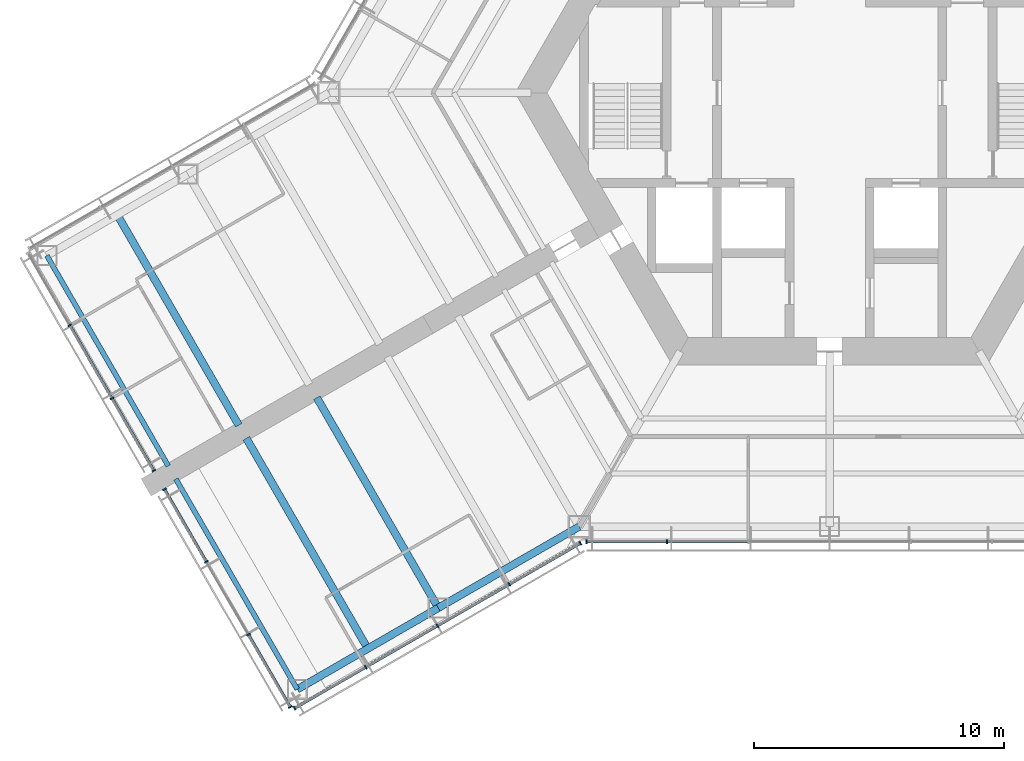
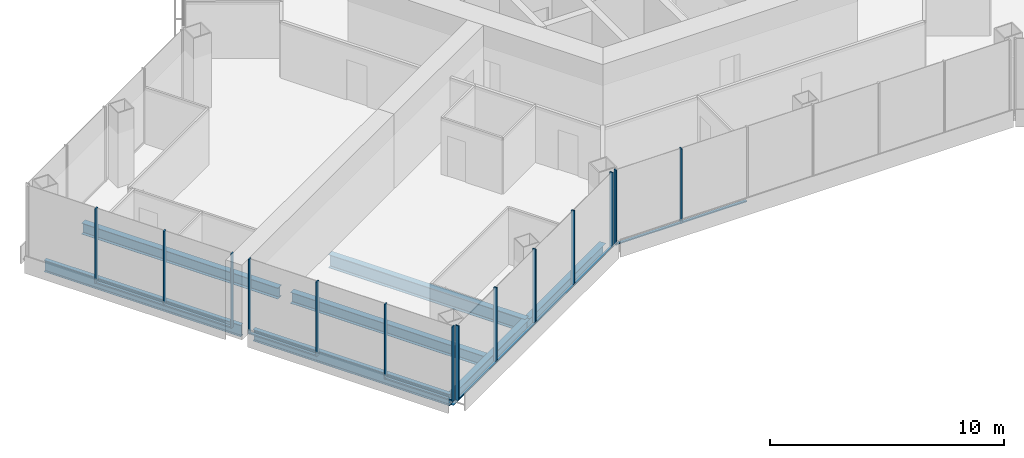
# One storey, part 2 of 19: 24 members, 7 beams, 4 elements without a shape of their own.
"""IFC4 building model written with IfcOpenShell, lengths in metres."""

import ifcopenshell
import ifcopenshell.guid

model = None  # the IFC model being written
_history = None  # IfcOwnerHistory: only IFC2X3 demands one
_inside = {}  # id of a spatial element -> (the spatial element, [elements in it])
_under = {}  # id of a project, library or spatial element -> (it, [spatial elements below it])
_declared = {}  # id of a project -> (the project, [libraries it declares])
_typed = {}  # id of a type object -> (the type object, [elements of that type])
_made_of = {}  # id of a material, layer set ... -> (it, [elements and type objects made of it])


def new_model(schema):
    """Start an empty IFC model of exactly this schema.

    Asked for "IFC4X3", IfcOpenShell would pick the latest addendum, in which some entities
    have other attributes; the version numbers below select the first issue.
    IFC2X3 requires an IfcOwnerHistory on every rooted entity: one is made here for all.
    """
    global model, _history
    if schema == "IFC4X3":
        model = ifcopenshell.file(schema_version=(4, 3, 0, 0))
    else:
        model = ifcopenshell.file(schema=schema)
    _inside.clear()
    _under.clear()
    _declared.clear()
    _typed.clear()
    _made_of.clear()
    _history = None
    if model.schema == "IFC2X3":
        org = make("IfcOrganization", Name="unknown")
        user = make(
            "IfcPersonAndOrganization",
            ThePerson=make("IfcPerson", FamilyName="unknown"),
            TheOrganization=org,
        )
        app = make(
            "IfcApplication",
            ApplicationDeveloper=org,
            Version="unknown",
            ApplicationFullName="unknown",
            ApplicationIdentifier="unknown",
        )
        _history = make(
            "IfcOwnerHistory",
            OwningUser=user,
            OwningApplication=app,
            ChangeAction="ADDED",
            CreationDate=0,
        )
    return model


def make(cls, **values):
    """One entity of the class cls with the attributes given. An attribute that is None is left unset."""
    return model.create_entity(
        cls, **{name: value for name, value in values.items() if value is not None}
    )


def rooted(cls, **values):
    """An entity with a GlobalId (a new one), such as an element, a storey or a relation."""
    return make(cls, GlobalId=ifcopenshell.guid.new(), OwnerHistory=_history, **values)


def si_unit(unit_type, name, prefix=None):
    """IfcSIUnit, for example si_unit("LENGTHUNIT", "METRE", prefix="MILLI")."""
    return make("IfcSIUnit", UnitType=unit_type, Prefix=prefix, Name=name)


def assignment(units):
    """IfcUnitAssignment: the units of a project."""
    return None if units is None else make("IfcUnitAssignment", Units=units)


def point(xyz):
    """IfcCartesianPoint."""
    return None if xyz is None else make("IfcCartesianPoint", Coordinates=xyz)


def direction(xyz):
    """IfcDirection."""
    return None if xyz is None else make("IfcDirection", DirectionRatios=xyz)


def frame(location, z_axis=None, x_axis=None):
    """IfcAxis2Placement3D, a coordinate frame: its origin and axes. An axis left out is left unset."""
    return make(
        "IfcAxis2Placement3D",
        Location=point(location),
        Axis=direction(z_axis),
        RefDirection=direction(x_axis),
    )


def frame_2d(location, x_axis=None):
    """IfcAxis2Placement2D, a coordinate frame in the plane: its origin and x axis."""
    return make(
        "IfcAxis2Placement2D", Location=point(location), RefDirection=direction(x_axis)
    )


def origin():
    """The frame at (0, 0, 0) with its axes left unset."""
    return frame((0.0, 0.0, 0.0))


def origin_2d():
    """The frame at (0, 0) in the plane with its x axis left unset."""
    return frame_2d((0.0, 0.0))


def place(relative_to, where):
    """IfcLocalPlacement: puts the frame where relative to a parent placement (None: the world)."""
    return make(
        "IfcLocalPlacement", PlacementRelTo=relative_to, RelativePlacement=where
    )


def context(
    kind, dimensions, precision=None, world=None, true_north=None, identifier=None
):
    """IfcGeometricRepresentationContext, for example the 3D "Model" context."""
    return make(
        "IfcGeometricRepresentationContext",
        ContextIdentifier=identifier,
        ContextType=kind,
        CoordinateSpaceDimension=dimensions,
        Precision=precision,
        WorldCoordinateSystem=world,
        TrueNorth=true_north,
    )


def subcontext(parent, identifier, kind, view, scale=None):
    """IfcGeometricRepresentationSubContext, for example "Body" below "Model"."""
    return make(
        "IfcGeometricRepresentationSubContext",
        ContextIdentifier=identifier,
        ContextType=kind,
        ParentContext=parent,
        TargetScale=scale,
        TargetView=view,
    )


def project(units=None, contexts=None):
    """IfcProject with its units and contexts."""
    return rooted(
        "IfcProject",
        Name="project",
        RepresentationContexts=contexts,
        UnitsInContext=assignment(units),
    )


def spatial(cls, under=None, at=None, **own):
    """A site, building, storey or space (cls), placed at a placement, below another one or the project."""
    s = rooted(cls, ObjectPlacement=at, **own)
    if under is not None:
        _under.setdefault(under.id(), (under, []))[1].append(s)
    return s


def profile(cls, at=None, kind="AREA", **sizes):
    """A parametric profile (cls). Its sizes go by their IFC names, for example OverallWidth=200.0."""
    return make(cls, ProfileType=kind, Position=at, **sizes)


def rectangle(**sizes):
    """IfcRectangleProfileDef."""
    return profile("IfcRectangleProfileDef", **sizes)


def i_section(**sizes):
    """IfcIShapeProfileDef."""
    return profile("IfcIShapeProfileDef", **sizes)


def extrude(swept, where, along, depth):
    """IfcExtrudedAreaSolid: the profile swept, set in the frame where, extruded along a direction by depth."""
    return make(
        "IfcExtrudedAreaSolid",
        SweptArea=swept,
        Position=where,
        ExtrudedDirection=direction(along),
        Depth=depth,
    )


def shape(context_of_items, identifier, shape_type, items):
    """IfcShapeRepresentation: the items that make up one representation, for example the "Body"."""
    return make(
        "IfcShapeRepresentation",
        ContextOfItems=context_of_items,
        RepresentationIdentifier=identifier,
        RepresentationType=shape_type,
        Items=items,
    )


def material(Name=None, Category=None):
    """IfcMaterial."""
    return make("IfcMaterial", Name=Name, Category=Category)


def material_profile(
    of_material, cross_section, Name=None, Category=None, Priority=None
):
    """IfcMaterialProfile: a cross section and its material."""
    return make(
        "IfcMaterialProfile",
        Name=Name,
        Material=of_material,
        Profile=cross_section,
        Priority=Priority,
        Category=Category,
    )


def profile_set(profiles, Name=None, composite=None):
    """IfcMaterialProfileSet."""
    return make(
        "IfcMaterialProfileSet",
        Name=Name,
        MaterialProfiles=profiles,
        CompositeProfile=composite,
    )


def made_of(thing, what):
    """Note that an element or type object is made of a material, layer set ...; save() writes the relation."""
    if what is not None:
        _made_of.setdefault(what.id(), (what, []))[1].append(thing)
    return thing


def type_object(cls, material=None, **own):
    """A type object (cls), such as IfcWallType, which elements share."""
    return made_of(rooted(cls, **own), material)


def element(
    cls,
    number,
    at=None,
    inside=None,
    cuts=None,
    type_object=None,
    material=None,
    context=None,
    identifier="Body",
    shape_type=None,
    held_by="IfcProductDefinitionShape",
    body=None,
    shapes=None,
    **own,
):
    """One element of the class cls, such as IfcWall. Its Tag is "e" and its number.

    at: its placement. inside: the storey or other place that contains it. cuts: it is an
    opening in that element (IfcRelVoidsElement). A single representation is given by context,
    identifier, shape_type and body (its items); several are given by shapes. held_by: the class
    of the entity that holds the representations. save() writes the other relations.
    """
    e = rooted(cls, Tag="e%d" % number, ObjectPlacement=at, **own)
    if body is not None:
        shapes = [shape(context, identifier, shape_type, body)]
    if shapes is not None:
        e.Representation = make(held_by, Representations=shapes)
    if inside is not None:
        _inside.setdefault(inside.id(), (inside, []))[1].append(e)
    if cuts is not None:
        rooted(
            "IfcRelVoidsElement", RelatingBuildingElement=cuts, RelatedOpeningElement=e
        )
    if type_object is not None:
        _typed.setdefault(type_object.id(), (type_object, []))[1].append(e)
    return made_of(e, material)


def aggregate(whole, parts):
    """IfcRelAggregates: a whole, such as a stair, and the parts it consists of."""
    return rooted("IfcRelAggregates", RelatingObject=whole, RelatedObjects=parts)


def save(model, path):
    """Write the relations noted so far, then the file.

    IfcRelAggregates (storeys below a building ...), IfcRelContainedInSpatialStructure (elements
    in a storey), IfcRelDefinesByType, IfcRelAssociatesMaterial and IfcRelDeclares: one each for
    every whole, place, type object, material and project.
    """
    for whole, parts in _under.values():
        aggregate(whole, parts)
    for where, things in _inside.values():
        rooted(
            "IfcRelContainedInSpatialStructure",
            RelatedElements=things,
            RelatingStructure=where,
        )
    for kind, things in _typed.values():
        rooted("IfcRelDefinesByType", RelatedObjects=things, RelatingType=kind)
    for what, things in _made_of.values():
        rooted("IfcRelAssociatesMaterial", RelatedObjects=things, RelatingMaterial=what)
    for by, libraries in _declared.values():
        rooted("IfcRelDeclares", RelatingContext=by, RelatedDefinitions=libraries)
    model.write(path)


model = new_model("IFC4")

# Units and contexts
model_context = context("Model", 3, precision=1e-05, world=origin(), true_north=direction((0.0, 1.0)))
body_context = subcontext(model_context, "Body", "Model", "MODEL_VIEW")
ifc_project = project(units=[si_unit("LENGTHUNIT", "METRE"), si_unit("AREAUNIT", "SQUARE_METRE"), si_unit("VOLUMEUNIT", "CUBIC_METRE"), si_unit("PLANEANGLEUNIT", "RADIAN"), si_unit("MASSUNIT", "GRAM", prefix="KILO")], contexts=[model_context])

# Site, building, storey
site_placement = place(None, origin())
site = spatial("IfcSite", under=ifc_project, at=site_placement, CompositionType="ELEMENT")
building_placement = place(site_placement, origin())
building = spatial("IfcBuilding", under=site, at=building_placement, Name="Kasaneha Research Tower", CompositionType="ELEMENT")
storey_placement = place(building_placement, frame((0.0, 0.0, 104.10009765625)))
storey = spatial("IfcBuildingStorey", under=building, at=storey_placement, Name="L26", CompositionType="ELEMENT", Elevation=104.10009765625)

# Beams
ifc_material_1 = material(Name="Steel SN490B", Category="steel")
ifc_material_profile_1 = material_profile(ifc_material_1, i_section(OverallWidth=0.300048828125, OverallDepth=0.58203125, WebThickness=0.011962890625, FlangeThickness=0.01708984375, FilletRadius=0.012939453125, at=origin_2d()), Name="H-582x300x12x17")
ifc_profile_set_1 = profile_set([ifc_material_profile_1], Name="Steel SN490B")
beam_type_1 = type_object("IfcBeamType", Name="B2-3 secondary beam H-582x300x12x17", PredefinedType="JOIST", material=ifc_profile_set_1)
for number, where, z_axis, x_axis, name in (
    (1, (-28.44384765625, -4.875, -0.441162109375), (0.500010041276, -0.866019606374, 0.0), (0.866019606374, 0.500010041276, 0.0), "Secondary beam WBBP2 L26"),
    (2, (-18.44384765625, -22.195556640625, -0.441162109375), (-0.499991164321, 0.866030505006, 0.0), (-0.866030505006, -0.499991164321, 0.0), "Secondary beam WBBN2 L26"),
):
    element("IfcBeam", number, at=place(storey_placement, frame(where, z_axis=z_axis, x_axis=x_axis)), inside=storey, type_object=beam_type_1, Name=name, PredefinedType="JOIST", context=body_context, shape_type="SweptSolid", body=[
        extrude(i_section(OverallWidth=0.300048828125, OverallDepth=0.58203125, WebThickness=0.011962890625, FlangeThickness=0.01708984375, FilletRadius=0.012939453125, at=origin_2d()), origin(), (0.0, 0.0, 1.0), 9.699951171875),
    ])

# Curtain wall, members
ifc_material_2 = material(Name="Glass and aluminium", Category="aluminium")
curtain_wall_type = type_object("IfcCurtainWallType", Name="Low-rise office curtain wall", PredefinedType="USERDEFINED", material=ifc_material_2)
curtain_wall_1_placement = place(storey_placement, origin())
curtain_wall_1 = element("IfcCurtainWall", 3, at=curtain_wall_1_placement, inside=storey, type_object=curtain_wall_type, Name="CW-O1 L26 run 01a", ObjectType="UNITISED CURTAIN WALL", PredefinedType="USERDEFINED")
ifc_material_3 = material(Name="Aluminium 6063-T6", Category="aluminium")
ifc_material_profile_2 = material_profile(ifc_material_3, rectangle(XDim=0.06005859375, YDim=0.159912109375, at=origin_2d()), Name="CW-O1 mullion 60x160")
ifc_profile_set_2 = profile_set([ifc_material_profile_2], Name="Aluminium 6063-T6")
member_type_1 = type_object("IfcMemberType", Name="CW-O1 mullion", PredefinedType="MULLION", material=ifc_profile_set_2)
member_1_placement = place(storey_placement, frame((-21.365478515625, -24.5751953125, 0.0), z_axis=(0.0, 0.0, 1.0), x_axis=(0.866025411464, 0.499999986699, 0.0)))
member_1 = element("IfcMember", 4, at=member_1_placement, type_object=member_type_1, Name="CW-O1 mullion 1", PredefinedType="MULLION", context=body_context, shape_type="SweptSolid", body=[
    extrude(rectangle(XDim=0.06005859375, YDim=0.159912109375, at=origin_2d()), origin(), (0.0, 0.0, 1.0), 3.89990234375),
])
member_2_placement = place(storey_placement, frame((-18.52490234375, -22.935302734375, 0.0), z_axis=(0.0, 0.0, 1.0), x_axis=(0.866025411464, 0.499999986699, 0.0)))
member_2 = element("IfcMember", 5, at=member_2_placement, type_object=member_type_1, Name="CW-O1 mullion 2", PredefinedType="MULLION", context=body_context, shape_type="SweptSolid", body=[
    extrude(rectangle(XDim=0.06005859375, YDim=0.159912109375, at=origin_2d()), origin(), (0.0, 0.0, 1.0), 3.89990234375),
])
member_3_placement = place(storey_placement, frame((-15.65869140625, -21.2802734375, 0.0), z_axis=(0.0, 0.0, 1.0), x_axis=(0.866025411464, 0.499999986699, 0.0)))
member_3 = element("IfcMember", 6, at=member_3_placement, type_object=member_type_1, Name="CW-O1 mullion 3", PredefinedType="MULLION", context=body_context, shape_type="SweptSolid", body=[
    extrude(rectangle(XDim=0.06005859375, YDim=0.159912109375, at=origin_2d()), origin(), (0.0, 0.0, 1.0), 3.89990234375),
])
member_4_placement = place(storey_placement, frame((-12.792236328125, -19.62548828125, 0.0), z_axis=(0.0, 0.0, 1.0), x_axis=(0.866025411464, 0.499999986699, 0.0)))
member_4 = element("IfcMember", 7, at=member_4_placement, type_object=member_type_1, Name="CW-O1 mullion 4", PredefinedType="MULLION", context=body_context, shape_type="SweptSolid", body=[
    extrude(rectangle(XDim=0.06005859375, YDim=0.159912109375, at=origin_2d()), origin(), (0.0, 0.0, 1.0), 3.89990234375),
])
member_5_placement = place(storey_placement, frame((-9.951904296875, -17.985595703125, 0.0), z_axis=(0.0, 0.0, 1.0), x_axis=(0.866025411464, 0.499999986699, 0.0)))
member_5 = element("IfcMember", 8, at=member_5_placement, type_object=member_type_1, Name="CW-O1 mullion 5", PredefinedType="MULLION", context=body_context, shape_type="SweptSolid", body=[
    extrude(rectangle(XDim=0.06005859375, YDim=0.159912109375, at=origin_2d()), origin(), (0.0, 0.0, 1.0), 3.89990234375),
])

curtain_wall_2_placement = place(storey_placement, origin())
curtain_wall_2 = element("IfcCurtainWall", 9, at=curtain_wall_2_placement, inside=storey, type_object=curtain_wall_type, Name="CW-O1 L26 run 02a", ObjectType="UNITISED CURTAIN WALL", PredefinedType="USERDEFINED")
member_6_placement = place(storey_placement, frame((-9.709228515625, -17.92041015625, 0.0), z_axis=(0.0, 0.0, 1.0), x_axis=(1.0, 0.0, 0.0)))
member_6 = element("IfcMember", 10, at=member_6_placement, type_object=member_type_1, Name="CW-O1 mullion 1", PredefinedType="MULLION", context=body_context, shape_type="SweptSolid", body=[
    extrude(rectangle(XDim=0.06005859375, YDim=0.159912109375, at=origin_2d()), origin(), (0.0, 0.0, 1.0), 3.89990234375),
])
member_7_placement = place(storey_placement, frame((-6.492919921875, -17.92041015625, 0.0), z_axis=(0.0, 0.0, 1.0), x_axis=(1.0, 0.0, 0.0)))
member_7 = element("IfcMember", 11, at=member_7_placement, type_object=member_type_1, Name="CW-O1 mullion 2", PredefinedType="MULLION", context=body_context, shape_type="SweptSolid", body=[
    extrude(rectangle(XDim=0.06005859375, YDim=0.159912109375, at=origin_2d()), origin(), (0.0, 0.0, 1.0), 3.89990234375),
])

curtain_wall_3_placement = place(storey_placement, origin())
curtain_wall_3 = element("IfcCurtainWall", 12, at=curtain_wall_3_placement, inside=storey, type_object=curtain_wall_type, Name="CW-O1 L26 run 14a", ObjectType="UNITISED CURTAIN WALL", PredefinedType="USERDEFINED")
member_8_placement = place(storey_placement, frame((-30.3447265625, -9.28271484375, 0.0), z_axis=(0.0, 0.0, 1.0), x_axis=(0.500000011442, -0.866025397178, 0.0)))
member_8 = element("IfcMember", 13, at=member_8_placement, type_object=member_type_1, Name="CW-O1 mullion 2", PredefinedType="MULLION", context=body_context, shape_type="SweptSolid", body=[
    extrude(rectangle(XDim=0.06005859375, YDim=0.159912109375, at=origin_2d()), origin(), (0.0, 0.0, 1.0), 3.89990234375),
])
member_9_placement = place(storey_placement, frame((-28.661376953125, -12.1982421875, 0.0), z_axis=(0.0, 0.0, 1.0), x_axis=(0.500000011442, -0.866025397178, 0.0)))
member_9 = element("IfcMember", 14, at=member_9_placement, type_object=member_type_1, Name="CW-O1 mullion 3", PredefinedType="MULLION", context=body_context, shape_type="SweptSolid", body=[
    extrude(rectangle(XDim=0.06005859375, YDim=0.159912109375, at=origin_2d()), origin(), (0.0, 0.0, 1.0), 3.89990234375),
])
member_10_placement = place(storey_placement, frame((-26.992919921875, -15.087890625, 0.0), z_axis=(0.0, 0.0, 1.0), x_axis=(0.500000011442, -0.866025397178, 0.0)))
member_10 = element("IfcMember", 15, at=member_10_placement, type_object=member_type_1, Name="CW-O1 mullion 4", PredefinedType="MULLION", context=body_context, shape_type="SweptSolid", body=[
    extrude(rectangle(XDim=0.06005859375, YDim=0.159912109375, at=origin_2d()), origin(), (0.0, 0.0, 1.0), 3.89990234375),
])

curtain_wall_4_placement = place(storey_placement, origin())
curtain_wall_4 = element("IfcCurtainWall", 16, at=curtain_wall_4_placement, inside=storey, type_object=curtain_wall_type, Name="CW-O1 L26 run 15a", ObjectType="UNITISED CURTAIN WALL", PredefinedType="USERDEFINED")
member_11_placement = place(storey_placement, frame((-26.56298828125, -15.832763671875, 0.0), z_axis=(0.0, 0.0, 1.0), x_axis=(0.500000011442, -0.866025397178, 0.0)))
member_11 = element("IfcMember", 17, at=member_11_placement, type_object=member_type_1, Name="CW-O1 mullion 1", PredefinedType="MULLION", context=body_context, shape_type="SweptSolid", body=[
    extrude(rectangle(XDim=0.06005859375, YDim=0.159912109375, at=origin_2d()), origin(), (0.0, 0.0, 1.0), 3.89990234375),
])
member_12_placement = place(storey_placement, frame((-24.89453125, -18.72216796875, 0.0), z_axis=(0.0, 0.0, 1.0), x_axis=(0.500000011442, -0.866025397178, 0.0)))
member_12 = element("IfcMember", 18, at=member_12_placement, type_object=member_type_1, Name="CW-O1 mullion 2", PredefinedType="MULLION", context=body_context, shape_type="SweptSolid", body=[
    extrude(rectangle(XDim=0.06005859375, YDim=0.159912109375, at=origin_2d()), origin(), (0.0, 0.0, 1.0), 3.89990234375),
])
member_13_placement = place(storey_placement, frame((-23.211181640625, -21.637939453125, 0.0), z_axis=(0.0, 0.0, 1.0), x_axis=(0.500000011442, -0.866025397178, 0.0)))
member_13 = element("IfcMember", 19, at=member_13_placement, type_object=member_type_1, Name="CW-O1 mullion 3", PredefinedType="MULLION", context=body_context, shape_type="SweptSolid", body=[
    extrude(rectangle(XDim=0.06005859375, YDim=0.159912109375, at=origin_2d()), origin(), (0.0, 0.0, 1.0), 3.89990234375),
])
member_14_placement = place(storey_placement, frame((-21.54296875, -24.527587890625, 0.0), z_axis=(0.0, 0.0, 1.0), x_axis=(0.500000011442, -0.866025397178, 0.0)))
member_14 = element("IfcMember", 20, at=member_14_placement, type_object=member_type_1, Name="CW-O1 mullion 4", PredefinedType="MULLION", context=body_context, shape_type="SweptSolid", body=[
    extrude(rectangle(XDim=0.06005859375, YDim=0.159912109375, at=origin_2d()), origin(), (0.0, 0.0, 1.0), 3.89990234375),
])

# Member
ifc_material_4 = material(Name="Aluminium 6063-T6", Category="aluminium")
ifc_material_profile_3 = material_profile(ifc_material_4, rectangle(XDim=0.1201171875, YDim=0.06005859375, at=origin_2d()), Name="CW-O1 transom 120x60")
ifc_profile_set_3 = profile_set([ifc_material_profile_3], Name="Aluminium 6063-T6")
member_type_2 = type_object("IfcMemberType", Name="CW-O1 transom", PredefinedType="USERDEFINED", material=ifc_profile_set_3)
member_15_placement = place(storey_placement, frame((-21.33935546875, -24.56005859375, 0.02978515625), z_axis=(0.866022692473, 0.500004696101, 0.0), x_axis=(-0.500004696101, 0.866022692473, 0.0)))
member_15 = element("IfcMember", 21, at=member_15_placement, type_object=member_type_2, Name="CW-O1 transom 1", ObjectType="TRANSOM", PredefinedType="USERDEFINED", context=body_context, shape_type="SweptSolid", body=[
    extrude(rectangle(XDim=0.1201171875, YDim=0.06005859375, at=origin_2d()), origin(), (0.0, 0.0, 1.0), 3.2197265625),
])

member_16_placement = place(storey_placement, frame((-18.4990234375, -22.920166015625, 0.02978515625), z_axis=(0.86604797581, 0.499960902066, 0.0), x_axis=(-0.499960902066, 0.86604797581, 0.0)))
member_16 = element("IfcMember", 22, at=member_16_placement, type_object=member_type_2, Name="CW-O1 transom 2", ObjectType="TRANSOM", PredefinedType="USERDEFINED", context=body_context, shape_type="SweptSolid", body=[
    extrude(rectangle(XDim=0.1201171875, YDim=0.06005859375, at=origin_2d()), origin(), (0.0, 0.0, 1.0), 3.249755859375),
])

member_17_placement = place(storey_placement, frame((-15.632568359375, -21.265380859375, 0.02978515625), z_axis=(0.866015446554, 0.500017246033, 0.0), x_axis=(-0.500017246033, 0.866015446554, 0.0)))
member_17 = element("IfcMember", 23, at=member_17_placement, type_object=member_type_2, Name="CW-O1 transom 3", ObjectType="TRANSOM", PredefinedType="USERDEFINED", context=body_context, shape_type="SweptSolid", body=[
    extrude(rectangle(XDim=0.1201171875, YDim=0.06005859375, at=origin_2d()), origin(), (0.0, 0.0, 1.0), 3.25),
])

member_18_placement = place(storey_placement, frame((-12.76611328125, -19.6103515625, 0.02978515625), z_axis=(0.866022692473, 0.500004696101, 0.0), x_axis=(-0.500004696101, 0.866022692473, 0.0)))
member_18 = element("IfcMember", 24, at=member_18_placement, type_object=member_type_2, Name="CW-O1 transom 4", ObjectType="TRANSOM", PredefinedType="USERDEFINED", context=body_context, shape_type="SweptSolid", body=[
    extrude(rectangle(XDim=0.1201171875, YDim=0.06005859375, at=origin_2d()), origin(), (0.0, 0.0, 1.0), 3.2197265625),
])

aggregate(curtain_wall_1, [member_1, member_2, member_3, member_4, member_5, member_15, member_16, member_17, member_18])

member_19_placement = place(storey_placement, frame((-9.67919921875, -17.92041015625, 0.02978515625), z_axis=(1.0, 0.0, 0.0), x_axis=(0.0, 1.0, 0.0)))
member_19 = element("IfcMember", 25, at=member_19_placement, type_object=member_type_2, Name="CW-O1 transom 1", ObjectType="TRANSOM", PredefinedType="USERDEFINED", context=body_context, shape_type="SweptSolid", body=[
    extrude(rectangle(XDim=0.1201171875, YDim=0.06005859375, at=origin_2d()), origin(), (0.0, 0.0, 1.0), 3.156494140625),
])

member_20_placement = place(storey_placement, frame((-6.462890625, -17.92041015625, 0.02978515625), z_axis=(1.0, 0.0, 0.0), x_axis=(0.0, 1.0, 0.0)))
member_20 = element("IfcMember", 26, at=member_20_placement, type_object=member_type_2, Name="CW-O1 transom 2", ObjectType="TRANSOM", PredefinedType="USERDEFINED", context=body_context, shape_type="SweptSolid", body=[
    extrude(rectangle(XDim=0.1201171875, YDim=0.06005859375, at=origin_2d()), origin(), (0.0, 0.0, 1.0), 3.1865234375),
])

aggregate(curtain_wall_2, [member_6, member_7, member_19, member_20])

member_21_placement = place(storey_placement, frame((-30.32958984375, -9.30859375, 0.02978515625), z_axis=(0.499982354831, -0.866035590988, 0.0), x_axis=(0.866035590988, 0.499982354831, 0.0)))
member_21 = element("IfcMember", 27, at=member_21_placement, type_object=member_type_2, Name="CW-O1 transom 2", ObjectType="TRANSOM", PredefinedType="USERDEFINED", context=body_context, shape_type="SweptSolid", body=[
    extrude(rectangle(XDim=0.1201171875, YDim=0.06005859375, at=origin_2d()), origin(), (0.0, 0.0, 1.0), 3.306640625),
])

member_22_placement = place(storey_placement, frame((-28.646240234375, -12.22412109375, 0.02978515625), z_axis=(0.499969700927, -0.866042896256, 0.0), x_axis=(0.866042896256, 0.499969700927, 0.0)))
member_22 = element("IfcMember", 28, at=member_22_placement, type_object=member_type_2, Name="CW-O1 transom 3", ObjectType="TRANSOM", PredefinedType="USERDEFINED", context=body_context, shape_type="SweptSolid", body=[
    extrude(rectangle(XDim=0.1201171875, YDim=0.06005859375, at=origin_2d()), origin(), (0.0, 0.0, 1.0), 3.276611328125),
])

aggregate(curtain_wall_3, [member_8, member_9, member_10, member_21, member_22])

member_23_placement = place(storey_placement, frame((-26.5478515625, -15.858642578125, 0.02978515625), z_axis=(0.499969700927, -0.866042896256, 0.0), x_axis=(0.866042896256, 0.499969700927, 0.0)))
member_23 = element("IfcMember", 29, at=member_23_placement, type_object=member_type_2, Name="CW-O1 transom 1", ObjectType="TRANSOM", PredefinedType="USERDEFINED", context=body_context, shape_type="SweptSolid", body=[
    extrude(rectangle(XDim=0.1201171875, YDim=0.06005859375, at=origin_2d()), origin(), (0.0, 0.0, 1.0), 3.276611328125),
])

member_24_placement = place(storey_placement, frame((-23.1962890625, -21.663818359375, 0.02978515625), z_axis=(0.500025583411, -0.866010632691, 0.0), x_axis=(0.866010632691, 0.500025583411, 0.0)))
member_24 = element("IfcMember", 30, at=member_24_placement, type_object=member_type_2, Name="CW-O1 transom 3", ObjectType="TRANSOM", PredefinedType="USERDEFINED", context=body_context, shape_type="SweptSolid", body=[
    extrude(rectangle(XDim=0.1201171875, YDim=0.06005859375, at=origin_2d()), origin(), (0.0, 0.0, 1.0), 3.276611328125),
])

aggregate(curtain_wall_4, [member_11, member_12, member_13, member_14, member_23, member_24])

# Beams
ifc_material_5 = material(Name="Steel SN490B", Category="steel")
ifc_material_profile_4 = material_profile(ifc_material_5, i_section(OverallWidth=0.300048828125, OverallDepth=0.699951171875, WebThickness=0.012939453125, FlangeThickness=0.02392578125, FilletRadius=0.01806640625, at=origin_2d()), Name="H-700x300x13x24")
ifc_profile_set_4 = profile_set([ifc_material_profile_4], Name="Steel SN490B")
beam_type_2 = type_object("IfcBeamType", Name="G4-3 wing girder H-700x300x13x24", PredefinedType="BEAM", material=ifc_profile_set_4)
beam_placement = place(storey_placement, frame((-15.629150390625, -20.570556640625, -0.5), z_axis=(-0.500010041276, 0.866019606374, 0.0), x_axis=(-0.866019606374, -0.500010041276, 0.0)))
element("IfcBeam", 31, at=beam_placement, inside=storey, type_object=beam_type_2, Name="Wing girder WGBN L26", PredefinedType="BEAM", context=body_context, shape_type="SweptSolid", body=[
    extrude(i_section(OverallWidth=0.300048828125, OverallDepth=0.699951171875, WebThickness=0.012939453125, FlangeThickness=0.02392578125, FilletRadius=0.01806640625, at=origin_2d()), origin(), (0.0, 0.0, 1.0), 9.699951171875),
])
ifc_material_6 = material(Name="Steel SN490B", Category="steel")
ifc_material_profile_5 = material_profile(ifc_material_6, i_section(OverallWidth=0.300048828125, OverallDepth=0.58203125, WebThickness=0.011962890625, FlangeThickness=0.01708984375, FilletRadius=0.012939453125, at=origin_2d()), Name="H-582x300x12x17")
ifc_profile_set_5 = profile_set([ifc_material_profile_5], Name="Steel SN490B")
beam_type_3 = type_object("IfcBeamType", Name="SB2-3 spandrel beam H-582x300x12x17", PredefinedType="SPANDREL", material=ifc_profile_set_5)
for number, where, z_axis, x_axis, name in (
    (32, (-10.0, -17.320556640625, -0.441162109375), (-0.866024837091, -0.50000098154, 0.0), (0.50000098154, -0.866024837091, 0.0), "Spandrel beam WSBN1 L26"),
    (33, (-15.629150390625, -20.570556640625, -0.441162109375), (-0.866024837091, -0.50000098154, 0.0), (0.50000098154, -0.866024837091, 0.0), "Spandrel beam WSBN2 L26"),
):
    element("IfcBeam", number, at=place(storey_placement, frame(where, z_axis=z_axis, x_axis=x_axis)), inside=storey, type_object=beam_type_3, Name=name, PredefinedType="SPANDREL", context=body_context, shape_type="SweptSolid", body=[
        extrude(i_section(OverallWidth=0.300048828125, OverallDepth=0.58203125, WebThickness=0.011962890625, FlangeThickness=0.01708984375, FilletRadius=0.012939453125, at=origin_2d()), origin(), (0.0, 0.0, 1.0), 6.5),
    ])
ifc_material_7 = material(Name="Steel SN490B", Category="steel")
ifc_material_profile_6 = material_profile(ifc_material_7, i_section(OverallWidth=0.199951171875, OverallDepth=0.60009765625, WebThickness=0.010986328125, FlangeThickness=0.01708984375, FilletRadius=0.012939453125, at=origin_2d()), Name="H-600x200x11x17")
ifc_profile_set_6 = profile_set([ifc_material_profile_6], Name="Steel SN490B")
beam_type_4 = type_object("IfcBeamType", Name="SB3-3 spandrel beam H-600x200x11x17", PredefinedType="SPANDREL", material=ifc_profile_set_6)
for number, where, z_axis, x_axis, name in (
    (34, (-31.25830078125, -6.5, -0.4501953125), (0.499991164321, -0.866030505006, 0.0), (0.866030505006, 0.499991164321, 0.0), "Spandrel beam WTBP L26"),
    (35, (-21.25830078125, -23.820556640625, -0.4501953125), (-0.500010041276, 0.866019606374, 0.0), (-0.866019606374, -0.500010041276, 0.0), "Spandrel beam WTBN L26"),
):
    element("IfcBeam", number, at=place(storey_placement, frame(where, z_axis=z_axis, x_axis=x_axis)), inside=storey, type_object=beam_type_4, Name=name, PredefinedType="SPANDREL", context=body_context, shape_type="SweptSolid", body=[
        extrude(i_section(OverallWidth=0.199951171875, OverallDepth=0.60009765625, WebThickness=0.010986328125, FlangeThickness=0.01708984375, FilletRadius=0.012939453125, at=origin_2d()), origin(), (0.0, 0.0, 1.0), 9.699951171875),
    ])

save(model, "model.ifc")
